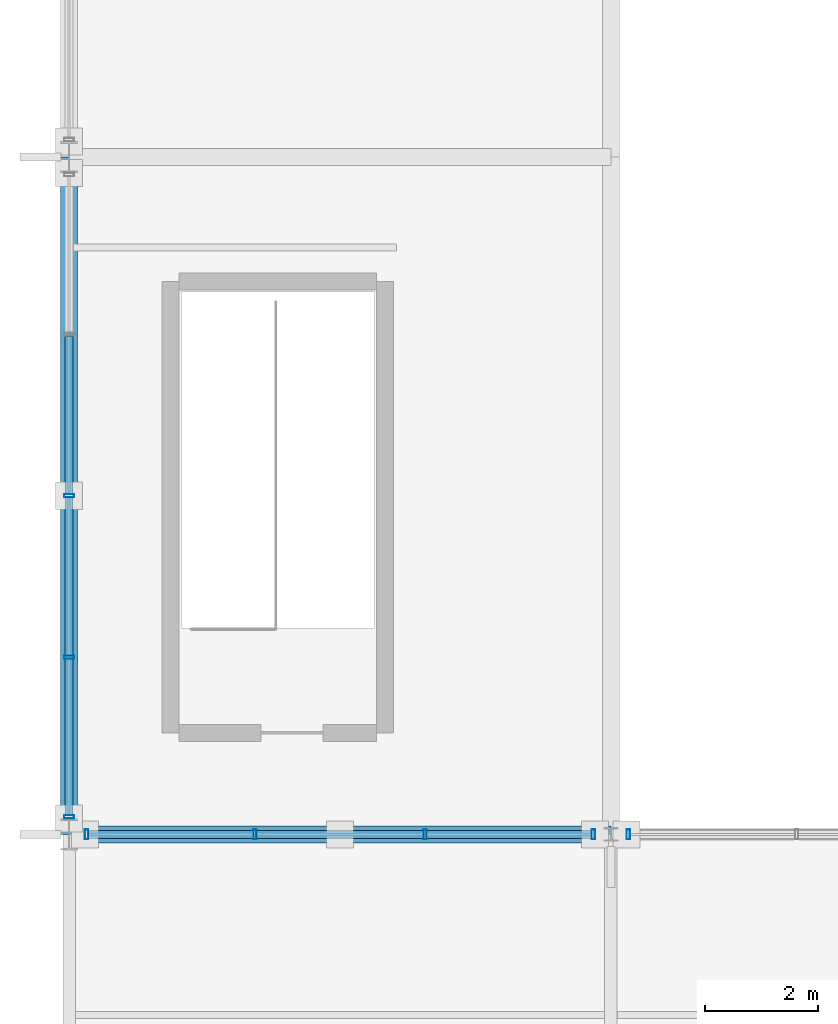
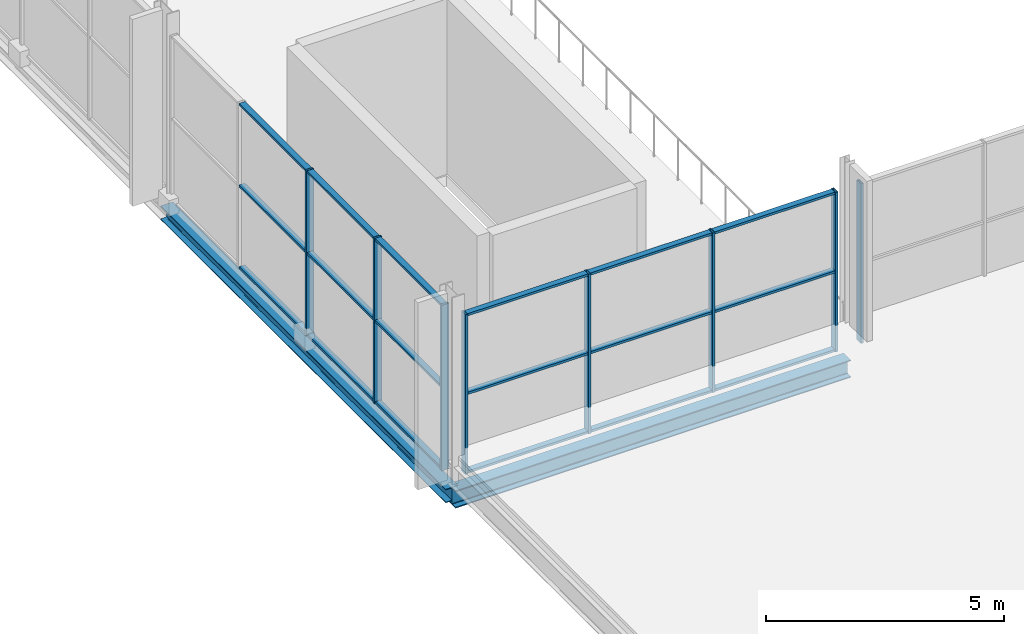
# One storey, part 23 of 159: 26 members, 2 beams, 3 elements without a shape of their own.
"""IFC4 building model written with IfcOpenShell, lengths in metres."""

from ifc_helpers import new_model, si_unit, direction, frame, origin, origin_2d, place, context, subcontext, project, spatial, hollow_rectangle, i_section, extrude, material, material_profile, profile_set, type_object, element, aggregate, save


model = new_model("IFC4")

# Units and contexts
model_context = context("Model", 3, precision=1e-05, world=origin(), true_north=direction((0.0, 1.0)))
body_context = subcontext(model_context, "Body", "Model", "MODEL_VIEW")
ifc_project = project(units=[si_unit("LENGTHUNIT", "METRE"), si_unit("AREAUNIT", "SQUARE_METRE"), si_unit("VOLUMEUNIT", "CUBIC_METRE"), si_unit("PLANEANGLEUNIT", "RADIAN"), si_unit("MASSUNIT", "GRAM", prefix="KILO")], contexts=[model_context])

# Site, building, storey
site_placement = place(None, origin())
site = spatial("IfcSite", under=ifc_project, at=site_placement, CompositionType="ELEMENT")
building_placement = place(site_placement, origin())
building = spatial("IfcBuilding", under=site, at=building_placement, Name="Merenkruunu Market Hall", CompositionType="ELEMENT")
storey_placement = place(building_placement, frame((0.0, 0.0, 5.39990234375)))
storey = spatial("IfcBuildingStorey", under=building, at=storey_placement, Name="L01", CompositionType="ELEMENT", Elevation=5.39990234375)

# Curtain wall, members
ifc_material_1 = material(Name="Powder-coated aluminium", Category="aluminium")
curtain_wall_type_1 = type_object("IfcCurtainWallType", Name="Glazed Curtain Wall CW02", PredefinedType="USERDEFINED", material=ifc_material_1)
curtain_wall_1_placement = place(storey_placement, origin())
curtain_wall_1 = element("IfcCurtainWall", 1, at=curtain_wall_1_placement, inside=storey, type_object=curtain_wall_type_1, Name="CW-L01-CWM02-002", ObjectType="GLAZED_FACADE", PredefinedType="USERDEFINED")
ifc_material_profile_1 = material_profile(ifc_material_1, hollow_rectangle(XDim=0.06005859375, YDim=0.179931640625, WallThickness=0.00390625, at=origin_2d()), Name="ALU 60x180x4")
ifc_profile_set_1 = profile_set([ifc_material_profile_1], Name="Powder-coated aluminium")
member_type_1 = type_object("IfcMemberType", Name="Curtain Wall Mullion CWM02", PredefinedType="MULLION", material=ifc_profile_set_1)
member_1_placement = place(storey_placement, frame((0.0, 15.909912109375, 0.0), z_axis=(0.0, 0.0, 1.0), x_axis=(0.0, 1.0, 0.0)))
member_1 = element("IfcMember", 2, at=member_1_placement, type_object=member_type_1, Name="CW02 mullion 1", PredefinedType="MULLION", context=body_context, shape_type="SweptSolid", body=[
    extrude(hollow_rectangle(XDim=0.06005859375, YDim=0.179931640625, WallThickness=0.00390625, at=origin_2d()), origin(), (0.0, 0.0, 1.0), 4.25),
])
member_2_placement = place(storey_placement, frame((0.0, 18.739990234375, 0.0), z_axis=(0.0, 0.0, 1.0), x_axis=(0.0, 1.0, 0.0)))
member_2 = element("IfcMember", 3, at=member_2_placement, type_object=member_type_1, Name="CW02 mullion 2", PredefinedType="MULLION", context=body_context, shape_type="SweptSolid", body=[
    extrude(hollow_rectangle(XDim=0.06005859375, YDim=0.179931640625, WallThickness=0.00390625, at=origin_2d()), origin(), (0.0, 0.0, 1.0), 4.25),
])
member_3_placement = place(storey_placement, frame((0.0, 21.60009765625, 0.0), z_axis=(0.0, 0.0, 1.0), x_axis=(0.0, 1.0, 0.0)))
member_3 = element("IfcMember", 4, at=member_3_placement, type_object=member_type_1, Name="CW02 mullion 3", PredefinedType="MULLION", context=body_context, shape_type="SweptSolid", body=[
    extrude(hollow_rectangle(XDim=0.06005859375, YDim=0.179931640625, WallThickness=0.00390625, at=origin_2d()), origin(), (0.0, 0.0, 1.0), 4.25),
])

curtain_wall_type_2 = type_object("IfcCurtainWallType", Name="Glazed Curtain Wall CW09", PredefinedType="USERDEFINED", material=ifc_material_1)
curtain_wall_2_placement = place(storey_placement, origin())
curtain_wall_2 = element("IfcCurtainWall", 5, at=curtain_wall_2_placement, inside=storey, type_object=curtain_wall_type_2, Name="CW-L01-CWM02-020", ObjectType="GLAZED_FACADE", PredefinedType="USERDEFINED")
member_4_placement = place(storey_placement, frame((9.2900390625, 15.60009765625, 0.0), z_axis=(0.0, 0.0, 1.0), x_axis=(-1.0, 0.0, 0.0)))
member_4 = element("IfcMember", 6, at=member_4_placement, type_object=member_type_1, Name="CW09 mullion 1", PredefinedType="MULLION", context=body_context, shape_type="SweptSolid", body=[
    extrude(hollow_rectangle(XDim=0.06005859375, YDim=0.179931640625, WallThickness=0.00390625, at=origin_2d()), origin(), (0.0, 0.0, 1.0), 4.10009765625),
])
member_5_placement = place(storey_placement, frame((6.306640625, 15.60009765625, 0.0), z_axis=(0.0, 0.0, 1.0), x_axis=(-1.0, 0.0, 0.0)))
member_5 = element("IfcMember", 7, at=member_5_placement, type_object=member_type_1, Name="CW09 mullion 2", PredefinedType="MULLION", context=body_context, shape_type="SweptSolid", body=[
    extrude(hollow_rectangle(XDim=0.06005859375, YDim=0.179931640625, WallThickness=0.00390625, at=origin_2d()), origin(), (0.0, 0.0, 1.0), 4.10009765625),
])
member_6_placement = place(storey_placement, frame((3.293212890625, 15.60009765625, 0.0), z_axis=(0.0, 0.0, 1.0), x_axis=(-1.0, 0.0, 0.0)))
member_6 = element("IfcMember", 8, at=member_6_placement, type_object=member_type_1, Name="CW09 mullion 3", PredefinedType="MULLION", context=body_context, shape_type="SweptSolid", body=[
    extrude(hollow_rectangle(XDim=0.06005859375, YDim=0.179931640625, WallThickness=0.00390625, at=origin_2d()), origin(), (0.0, 0.0, 1.0), 4.10009765625),
])
member_7_placement = place(storey_placement, frame((0.31005859375, 15.60009765625, 0.0), z_axis=(0.0, 0.0, 1.0), x_axis=(-1.0, 0.0, 0.0)))
member_7 = element("IfcMember", 9, at=member_7_placement, type_object=member_type_1, Name="CW09 mullion 4", PredefinedType="MULLION", context=body_context, shape_type="SweptSolid", body=[
    extrude(hollow_rectangle(XDim=0.06005859375, YDim=0.179931640625, WallThickness=0.00390625, at=origin_2d()), origin(), (0.0, 0.0, 1.0), 4.10009765625),
])

# Curtain wall, member
curtain_wall_3_placement = place(storey_placement, origin())
curtain_wall_3 = element("IfcCurtainWall", 10, at=curtain_wall_3_placement, inside=storey, type_object=curtain_wall_type_2, Name="CW-L01-CWM02-023", ObjectType="GLAZED_FACADE", PredefinedType="USERDEFINED")
member_8_placement = place(storey_placement, frame((9.909912109375, 15.60009765625, 0.0), z_axis=(0.0, 0.0, 1.0), x_axis=(-1.0, 0.0, 0.0)))
member_8 = element("IfcMember", 11, at=member_8_placement, type_object=member_type_1, Name="CW09 mullion 4", PredefinedType="MULLION", context=body_context, shape_type="SweptSolid", body=[
    extrude(hollow_rectangle(XDim=0.06005859375, YDim=0.179931640625, WallThickness=0.00390625, at=origin_2d()), origin(), (0.0, 0.0, 1.0), 4.10009765625),
])
aggregate(curtain_wall_3, [member_8])

# Member
ifc_material_profile_2 = material_profile(ifc_material_1, hollow_rectangle(XDim=0.06005859375, YDim=0.139892578125, WallThickness=0.00390625, at=origin_2d()), Name="ALU 60x140x4")
ifc_profile_set_2 = profile_set([ifc_material_profile_2], Name="Powder-coated aluminium")
member_type_2 = type_object("IfcMemberType", Name="Curtain Wall Transom CWT02", PredefinedType="USERDEFINED", material=ifc_profile_set_2)
member_9_placement = place(storey_placement, frame((0.0, 15.93994140625, 0.030029296875), z_axis=(0.0, 1.0, 0.0), x_axis=(0.0, 0.0, 1.0)))
member_9 = element("IfcMember", 12, at=member_9_placement, type_object=member_type_2, Name="CW02 transom 1.1", ObjectType="TRANSOM", PredefinedType="USERDEFINED", context=body_context, shape_type="SweptSolid", body=[
    extrude(hollow_rectangle(XDim=0.06005859375, YDim=0.139892578125, WallThickness=0.00390625, at=origin_2d()), origin(), (0.0, 0.0, 1.0), 2.77001953125),
])

member_10_placement = place(storey_placement, frame((0.0, 15.93994140625, 2.125), z_axis=(0.0, 1.0, 0.0), x_axis=(0.0, 0.0, 1.0)))
member_10 = element("IfcMember", 13, at=member_10_placement, type_object=member_type_2, Name="CW02 transom 1.2", ObjectType="TRANSOM", PredefinedType="USERDEFINED", context=body_context, shape_type="SweptSolid", body=[
    extrude(hollow_rectangle(XDim=0.06005859375, YDim=0.139892578125, WallThickness=0.00390625, at=origin_2d()), origin(), (0.0, 0.0, 1.0), 2.77001953125),
])

member_11_placement = place(storey_placement, frame((0.0, 15.93994140625, 4.22021484375), z_axis=(0.0, 1.0, 0.0), x_axis=(0.0, 0.0, 1.0)))
member_11 = element("IfcMember", 14, at=member_11_placement, type_object=member_type_2, Name="CW02 transom 1.3", ObjectType="TRANSOM", PredefinedType="USERDEFINED", context=body_context, shape_type="SweptSolid", body=[
    extrude(hollow_rectangle(XDim=0.06005859375, YDim=0.139892578125, WallThickness=0.00390625, at=origin_2d()), origin(), (0.0, 0.0, 1.0), 2.77001953125),
])

member_12_placement = place(storey_placement, frame((0.0, 18.77001953125, 0.030029296875), z_axis=(0.0, 1.0, 0.0), x_axis=(0.0, 0.0, 1.0)))
member_12 = element("IfcMember", 15, at=member_12_placement, type_object=member_type_2, Name="CW02 transom 2.1", ObjectType="TRANSOM", PredefinedType="USERDEFINED", context=body_context, shape_type="SweptSolid", body=[
    extrude(hollow_rectangle(XDim=0.06005859375, YDim=0.139892578125, WallThickness=0.00390625, at=origin_2d()), origin(), (0.0, 0.0, 1.0), 2.800048828125),
])

member_13_placement = place(storey_placement, frame((0.0, 18.77001953125, 2.125), z_axis=(0.0, 1.0, 0.0), x_axis=(0.0, 0.0, 1.0)))
member_13 = element("IfcMember", 16, at=member_13_placement, type_object=member_type_2, Name="CW02 transom 2.2", ObjectType="TRANSOM", PredefinedType="USERDEFINED", context=body_context, shape_type="SweptSolid", body=[
    extrude(hollow_rectangle(XDim=0.06005859375, YDim=0.139892578125, WallThickness=0.00390625, at=origin_2d()), origin(), (0.0, 0.0, 1.0), 2.800048828125),
])

member_14_placement = place(storey_placement, frame((0.0, 18.77001953125, 4.22021484375), z_axis=(0.0, 1.0, 0.0), x_axis=(0.0, 0.0, 1.0)))
member_14 = element("IfcMember", 17, at=member_14_placement, type_object=member_type_2, Name="CW02 transom 2.3", ObjectType="TRANSOM", PredefinedType="USERDEFINED", context=body_context, shape_type="SweptSolid", body=[
    extrude(hollow_rectangle(XDim=0.06005859375, YDim=0.139892578125, WallThickness=0.00390625, at=origin_2d()), origin(), (0.0, 0.0, 1.0), 2.800048828125),
])

member_15_placement = place(storey_placement, frame((0.0, 21.6298828125, 0.030029296875), z_axis=(0.0, 1.0, 0.0), x_axis=(0.0, 0.0, 1.0)))
member_15 = element("IfcMember", 18, at=member_15_placement, type_object=member_type_2, Name="CW02 transom 3.1", ObjectType="TRANSOM", PredefinedType="USERDEFINED", context=body_context, shape_type="SweptSolid", body=[
    extrude(hollow_rectangle(XDim=0.06005859375, YDim=0.139892578125, WallThickness=0.00390625, at=origin_2d()), origin(), (0.0, 0.0, 1.0), 2.800048828125),
])

member_16_placement = place(storey_placement, frame((0.0, 21.6298828125, 2.125), z_axis=(0.0, 1.0, 0.0), x_axis=(0.0, 0.0, 1.0)))
member_16 = element("IfcMember", 19, at=member_16_placement, type_object=member_type_2, Name="CW02 transom 3.2", ObjectType="TRANSOM", PredefinedType="USERDEFINED", context=body_context, shape_type="SweptSolid", body=[
    extrude(hollow_rectangle(XDim=0.06005859375, YDim=0.139892578125, WallThickness=0.00390625, at=origin_2d()), origin(), (0.0, 0.0, 1.0), 2.800048828125),
])

member_17_placement = place(storey_placement, frame((0.0, 21.6298828125, 4.22021484375), z_axis=(0.0, 1.0, 0.0), x_axis=(0.0, 0.0, 1.0)))
member_17 = element("IfcMember", 20, at=member_17_placement, type_object=member_type_2, Name="CW02 transom 3.3", ObjectType="TRANSOM", PredefinedType="USERDEFINED", context=body_context, shape_type="SweptSolid", body=[
    extrude(hollow_rectangle(XDim=0.06005859375, YDim=0.139892578125, WallThickness=0.00390625, at=origin_2d()), origin(), (0.0, 0.0, 1.0), 2.800048828125),
])

aggregate(curtain_wall_1, [member_1, member_2, member_3, member_9, member_10, member_11, member_12, member_13, member_14, member_15, member_16, member_17])

member_18_placement = place(storey_placement, frame((9.260009765625, 15.60009765625, 0.030029296875), z_axis=(-1.0, 0.0, 0.0), x_axis=(0.0, 0.0, 1.0)))
member_18 = element("IfcMember", 21, at=member_18_placement, type_object=member_type_2, Name="CW09 transom 1.1", ObjectType="TRANSOM", PredefinedType="USERDEFINED", context=body_context, shape_type="SweptSolid", body=[
    extrude(hollow_rectangle(XDim=0.06005859375, YDim=0.139892578125, WallThickness=0.00390625, at=origin_2d()), origin(), (0.0, 0.0, 1.0), 2.92333984375),
])

member_19_placement = place(storey_placement, frame((9.260009765625, 15.60009765625, 2.050048828125), z_axis=(-1.0, 0.0, 0.0), x_axis=(0.0, 0.0, 1.0)))
member_19 = element("IfcMember", 22, at=member_19_placement, type_object=member_type_2, Name="CW09 transom 1.2", ObjectType="TRANSOM", PredefinedType="USERDEFINED", context=body_context, shape_type="SweptSolid", body=[
    extrude(hollow_rectangle(XDim=0.06005859375, YDim=0.139892578125, WallThickness=0.00390625, at=origin_2d()), origin(), (0.0, 0.0, 1.0), 2.92333984375),
])

member_20_placement = place(storey_placement, frame((9.260009765625, 15.60009765625, 4.070068359375), z_axis=(-1.0, 0.0, 0.0), x_axis=(0.0, 0.0, 1.0)))
member_20 = element("IfcMember", 23, at=member_20_placement, type_object=member_type_2, Name="CW09 transom 1.3", ObjectType="TRANSOM", PredefinedType="USERDEFINED", context=body_context, shape_type="SweptSolid", body=[
    extrude(hollow_rectangle(XDim=0.06005859375, YDim=0.139892578125, WallThickness=0.00390625, at=origin_2d()), origin(), (0.0, 0.0, 1.0), 2.92333984375),
])

member_21_placement = place(storey_placement, frame((6.276611328125, 15.60009765625, 0.030029296875), z_axis=(-1.0, 0.0, 0.0), x_axis=(0.0, 0.0, 1.0)))
member_21 = element("IfcMember", 24, at=member_21_placement, type_object=member_type_2, Name="CW09 transom 2.1", ObjectType="TRANSOM", PredefinedType="USERDEFINED", context=body_context, shape_type="SweptSolid", body=[
    extrude(hollow_rectangle(XDim=0.06005859375, YDim=0.139892578125, WallThickness=0.00390625, at=origin_2d()), origin(), (0.0, 0.0, 1.0), 2.953369140625),
])

member_22_placement = place(storey_placement, frame((6.276611328125, 15.60009765625, 2.050048828125), z_axis=(-1.0, 0.0, 0.0), x_axis=(0.0, 0.0, 1.0)))
member_22 = element("IfcMember", 25, at=member_22_placement, type_object=member_type_2, Name="CW09 transom 2.2", ObjectType="TRANSOM", PredefinedType="USERDEFINED", context=body_context, shape_type="SweptSolid", body=[
    extrude(hollow_rectangle(XDim=0.06005859375, YDim=0.139892578125, WallThickness=0.00390625, at=origin_2d()), origin(), (0.0, 0.0, 1.0), 2.953369140625),
])

member_23_placement = place(storey_placement, frame((6.276611328125, 15.60009765625, 4.070068359375), z_axis=(-1.0, 0.0, 0.0), x_axis=(0.0, 0.0, 1.0)))
member_23 = element("IfcMember", 26, at=member_23_placement, type_object=member_type_2, Name="CW09 transom 2.3", ObjectType="TRANSOM", PredefinedType="USERDEFINED", context=body_context, shape_type="SweptSolid", body=[
    extrude(hollow_rectangle(XDim=0.06005859375, YDim=0.139892578125, WallThickness=0.00390625, at=origin_2d()), origin(), (0.0, 0.0, 1.0), 2.953369140625),
])

member_24_placement = place(storey_placement, frame((3.263427734375, 15.60009765625, 0.030029296875), z_axis=(-1.0, 0.0, 0.0), x_axis=(0.0, 0.0, 1.0)))
member_24 = element("IfcMember", 27, at=member_24_placement, type_object=member_type_2, Name="CW09 transom 3.1", ObjectType="TRANSOM", PredefinedType="USERDEFINED", context=body_context, shape_type="SweptSolid", body=[
    extrude(hollow_rectangle(XDim=0.06005859375, YDim=0.139892578125, WallThickness=0.00390625, at=origin_2d()), origin(), (0.0, 0.0, 1.0), 2.92333984375),
])

member_25_placement = place(storey_placement, frame((3.263427734375, 15.60009765625, 2.050048828125), z_axis=(-1.0, 0.0, 0.0), x_axis=(0.0, 0.0, 1.0)))
member_25 = element("IfcMember", 28, at=member_25_placement, type_object=member_type_2, Name="CW09 transom 3.2", ObjectType="TRANSOM", PredefinedType="USERDEFINED", context=body_context, shape_type="SweptSolid", body=[
    extrude(hollow_rectangle(XDim=0.06005859375, YDim=0.139892578125, WallThickness=0.00390625, at=origin_2d()), origin(), (0.0, 0.0, 1.0), 2.92333984375),
])

member_26_placement = place(storey_placement, frame((3.263427734375, 15.60009765625, 4.070068359375), z_axis=(-1.0, 0.0, 0.0), x_axis=(0.0, 0.0, 1.0)))
member_26 = element("IfcMember", 29, at=member_26_placement, type_object=member_type_2, Name="CW09 transom 3.3", ObjectType="TRANSOM", PredefinedType="USERDEFINED", context=body_context, shape_type="SweptSolid", body=[
    extrude(hollow_rectangle(XDim=0.06005859375, YDim=0.139892578125, WallThickness=0.00390625, at=origin_2d()), origin(), (0.0, 0.0, 1.0), 2.92333984375),
])

aggregate(curtain_wall_2, [member_4, member_5, member_6, member_7, member_18, member_19, member_20, member_21, member_22, member_23, member_24, member_25, member_26])

# Beams
ifc_material_2 = material(Name="Steel S355J2", Category="steel")
ifc_material_profile_3 = material_profile(ifc_material_2, i_section(OverallWidth=0.300048828125, OverallDepth=0.449951171875, WebThickness=0.013916015625, FlangeThickness=0.02587890625, FilletRadius=0.027099609375, at=origin_2d()), Name="HEB 450")
ifc_profile_set_3 = profile_set([ifc_material_profile_3], Name="Steel S355J2")
beam_type_1 = type_object("IfcBeamType", Name="Primary Floor Girder B03", PredefinedType="BEAM", material=ifc_profile_set_3)
beam_1_placement = place(storey_placement, frame((0.0, 15.60009765625, -0.5048828125), z_axis=(1.0, 0.0, 0.0), x_axis=(0.0, 1.0, 0.0)))
element("IfcBeam", 30, at=beam_1_placement, inside=storey, type_object=beam_type_1, Name="BM-L01-B03-0474", PredefinedType="BEAM", context=body_context, shape_type="SweptSolid", body=[
    extrude(i_section(OverallWidth=0.300048828125, OverallDepth=0.449951171875, WebThickness=0.013916015625, FlangeThickness=0.02587890625, FilletRadius=0.027099609375, at=origin_2d()), origin(), (0.0, 0.0, 1.0), 9.60009765625),
])
ifc_material_profile_4 = material_profile(ifc_material_2, i_section(OverallWidth=0.300048828125, OverallDepth=0.35009765625, WebThickness=0.010009765625, FlangeThickness=0.017578125, FilletRadius=0.027099609375, at=origin_2d()), Name="HEA 360")
ifc_profile_set_4 = profile_set([ifc_material_profile_4], Name="Steel S355J2")
beam_type_2 = type_object("IfcBeamType", Name="Primary Floor Girder B08", PredefinedType="BEAM", material=ifc_profile_set_4)
beam_2_placement = place(storey_placement, frame((0.0, 15.60009765625, -0.454833984375), z_axis=(0.0, 1.0, 0.0), x_axis=(-1.0, 0.0, 0.0)))
element("IfcBeam", 31, at=beam_2_placement, inside=storey, type_object=beam_type_2, Name="BM-L01-B08-0551", PredefinedType="BEAM", context=body_context, shape_type="SweptSolid", body=[
    extrude(i_section(OverallWidth=0.300048828125, OverallDepth=0.35009765625, WebThickness=0.010009765625, FlangeThickness=0.017578125, FilletRadius=0.027099609375, at=origin_2d()), origin(), (0.0, 0.0, 1.0), 12.0),
])

save(model, "model.ifc")
